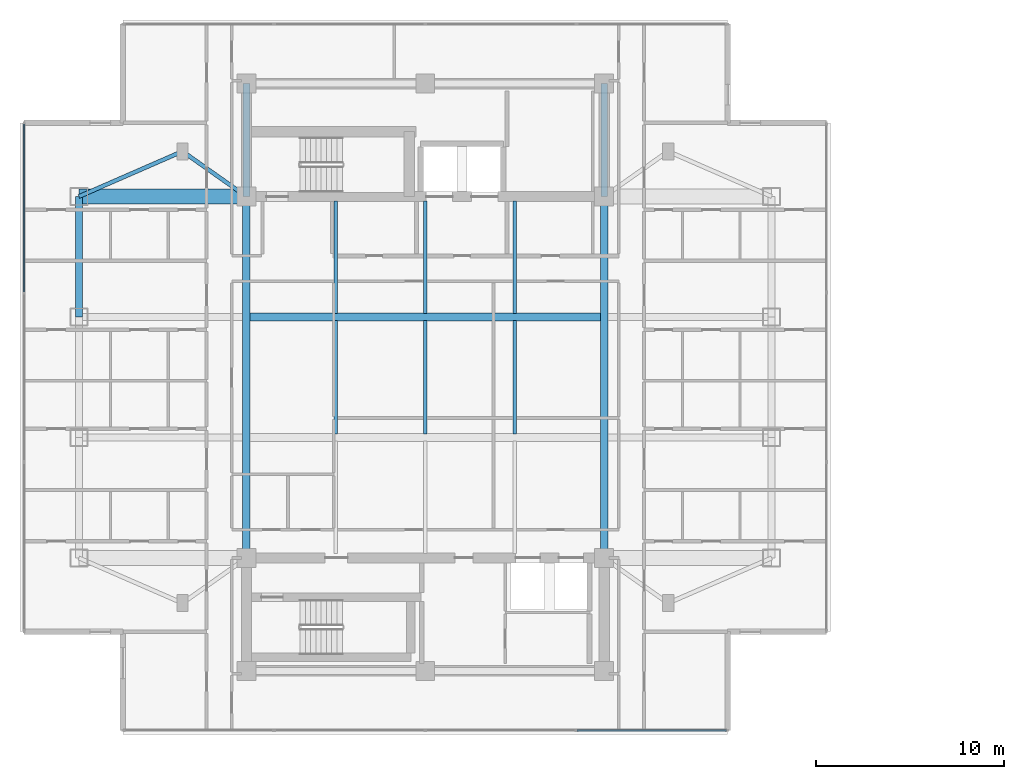
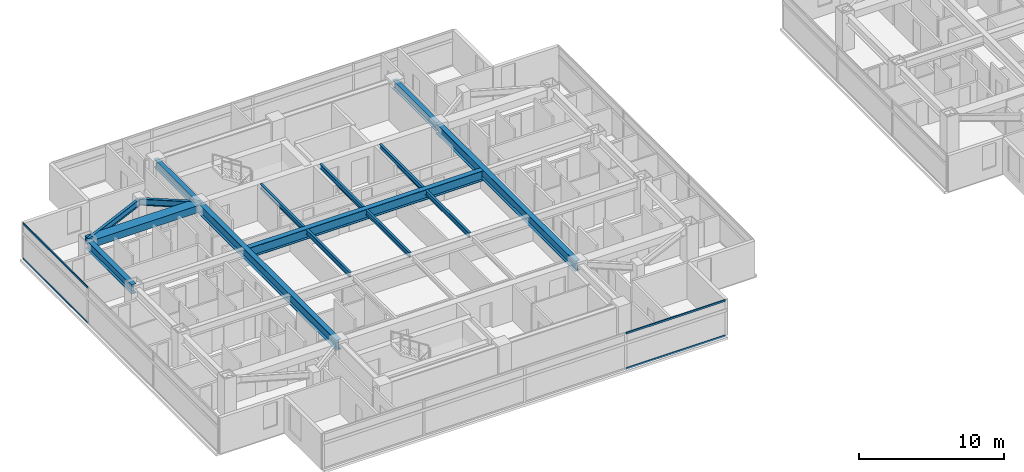
# One storey, part 3 of 25: 15 beams, 4 members, 2 elements without a shape of their own.
"""IFC4 building model written with IfcOpenShell, lengths in metres."""

from ifc_helpers import new_model, si_unit, direction, frame, origin, origin_2d, place, context, subcontext, project, spatial, rectangle, i_section, extrude, material, material_profile, profile_set, type_object, element, aggregate, save


model = new_model("IFC4")

# Units and contexts
model_context = context("Model", 3, precision=1e-05, world=origin(), true_north=direction((0.0, 1.0)))
body_context = subcontext(model_context, "Body", "Model", "MODEL_VIEW")
ifc_project = project(units=[si_unit("LENGTHUNIT", "METRE"), si_unit("AREAUNIT", "SQUARE_METRE"), si_unit("VOLUMEUNIT", "CUBIC_METRE"), si_unit("PLANEANGLEUNIT", "RADIAN"), si_unit("MASSUNIT", "GRAM", prefix="KILO")], contexts=[model_context])

# Site, building, storey
site_placement = place(None, origin())
site = spatial("IfcSite", under=ifc_project, at=site_placement, CompositionType="ELEMENT")
building_placement = place(site_placement, origin())
building = spatial("IfcBuilding", under=site, at=building_placement, Name="Mirazonda Arch Towers", CompositionType="ELEMENT")
storey_placement = place(building_placement, frame((0.0, 0.0, 173.89990234375)))
storey = spatial("IfcBuildingStorey", under=building, at=storey_placement, Name="L49", CompositionType="ELEMENT", Elevation=173.89990234375)

# Beams
ifc_material_1 = material(Name="Steel ASTM A992 Grade 50", Category="steel")
ifc_material_profile_1 = material_profile(ifc_material_1, i_section(OverallWidth=0.381103515625, OverallDepth=0.77294921875, WebThickness=0.0166015625, FlangeThickness=0.027099609375, at=origin_2d()), Name="W30X173")
ifc_profile_set_1 = profile_set([ifc_material_profile_1], Name="Steel ASTM A992 Grade 50")
beam_type_1 = type_object("IfcBeamType", Name="BM-EXT-W30X173", PredefinedType="USERDEFINED", material=ifc_profile_set_1)
beam_1_placement = place(storey_placement, frame((2.10009765625, 31.199951171875, 2.66357421875), z_axis=(0.0, 1.0, 0.0), x_axis=(-1.0, 0.0, 0.0)))
element("IfcBeam", 1, at=beam_1_placement, inside=storey, type_object=beam_type_1, Name="L49 Floor Beam BM-T1-L49-NS-W-31", ObjectType="GIRDER", PredefinedType="USERDEFINED", context=body_context, shape_type="SweptSolid", body=[
    extrude(i_section(OverallWidth=0.381103515625, OverallDepth=0.77294921875, WebThickness=0.0166015625, FlangeThickness=0.027099609375, at=origin_2d()), origin(), (0.0, 0.0, 1.0), 6.400146484375),
])
ifc_material_profile_2 = material_profile(ifc_material_1, i_section(OverallWidth=0.180908203125, OverallDepth=0.4169921875, WebThickness=0.010986328125, FlangeThickness=0.018310546875, at=origin_2d()), Name="W16X57")
ifc_profile_set_2 = profile_set([ifc_material_profile_2], Name="Steel ASTM A992 Grade 50")
beam_type_2 = type_object("IfcBeamType", Name="BM-INT-W16X57", PredefinedType="JOIST", material=ifc_profile_set_2)
beam_2_placement = place(storey_placement, frame((15.75, 31.39599609375, 2.841552734375), z_axis=(0.0, 1.0, 0.0), x_axis=(-1.0, 0.0, 0.0)))
element("IfcBeam", 2, at=beam_2_placement, inside=storey, type_object=beam_type_2, Name="L49 Floor Beam BM-T1-L49-J-157-31", PredefinedType="JOIST", context=body_context, shape_type="SweptSolid", body=[
    extrude(i_section(OverallWidth=0.180908203125, OverallDepth=0.4169921875, WebThickness=0.010986328125, FlangeThickness=0.018310546875, at=origin_2d()), origin(), (0.0, 0.0, 1.0), 5.964111328125),
])
beam_3_placement = place(storey_placement, frame((15.75, 24.99609375, 2.841552734375), z_axis=(0.0, 1.0, 0.0), x_axis=(-1.0, 0.0, 0.0)))
element("IfcBeam", 3, at=beam_3_placement, inside=storey, type_object=beam_type_2, Name="L49 Floor Beam BM-T1-L49-J-157-24", PredefinedType="JOIST", context=body_context, shape_type="SweptSolid", body=[
    extrude(i_section(OverallWidth=0.180908203125, OverallDepth=0.4169921875, WebThickness=0.010986328125, FlangeThickness=0.018310546875, at=origin_2d()), origin(), (0.0, 0.0, 1.0), 6.0078125),
])
beam_4_placement = place(storey_placement, frame((20.5, 31.39599609375, 2.841552734375), z_axis=(0.0, 1.0, 0.0), x_axis=(-1.0, 0.0, 0.0)))
element("IfcBeam", 4, at=beam_4_placement, inside=storey, type_object=beam_type_2, Name="L49 Floor Beam BM-T1-L49-J-205-31", PredefinedType="JOIST", context=body_context, shape_type="SweptSolid", body=[
    extrude(i_section(OverallWidth=0.180908203125, OverallDepth=0.4169921875, WebThickness=0.010986328125, FlangeThickness=0.018310546875, at=origin_2d()), origin(), (0.0, 0.0, 1.0), 5.964111328125),
])
beam_5_placement = place(storey_placement, frame((20.5, 24.99609375, 2.841552734375), z_axis=(0.0, 1.0, 0.0), x_axis=(-1.0, 0.0, 0.0)))
element("IfcBeam", 5, at=beam_5_placement, inside=storey, type_object=beam_type_2, Name="L49 Floor Beam BM-T1-L49-J-205-24", PredefinedType="JOIST", context=body_context, shape_type="SweptSolid", body=[
    extrude(i_section(OverallWidth=0.180908203125, OverallDepth=0.4169921875, WebThickness=0.010986328125, FlangeThickness=0.018310546875, at=origin_2d()), origin(), (0.0, 0.0, 1.0), 6.0078125),
])
beam_6_placement = place(storey_placement, frame((25.25, 31.39599609375, 2.841552734375), z_axis=(0.0, 1.0, 0.0), x_axis=(-1.0, 0.0, 0.0)))
element("IfcBeam", 6, at=beam_6_placement, inside=storey, type_object=beam_type_2, Name="L49 Floor Beam BM-T1-L49-J-252-31", PredefinedType="JOIST", context=body_context, shape_type="SweptSolid", body=[
    extrude(i_section(OverallWidth=0.180908203125, OverallDepth=0.4169921875, WebThickness=0.010986328125, FlangeThickness=0.018310546875, at=origin_2d()), origin(), (0.0, 0.0, 1.0), 5.964111328125),
])
beam_7_placement = place(storey_placement, frame((25.25, 24.99609375, 2.841552734375), z_axis=(0.0, 1.0, 0.0), x_axis=(-1.0, 0.0, 0.0)))
element("IfcBeam", 7, at=beam_7_placement, inside=storey, type_object=beam_type_2, Name="L49 Floor Beam BM-T1-L49-J-252-24", PredefinedType="JOIST", context=body_context, shape_type="SweptSolid", body=[
    extrude(i_section(OverallWidth=0.180908203125, OverallDepth=0.4169921875, WebThickness=0.010986328125, FlangeThickness=0.018310546875, at=origin_2d()), origin(), (0.0, 0.0, 1.0), 6.0078125),
])
ifc_material_profile_3 = material_profile(ifc_material_1, i_section(OverallWidth=0.214111328125, OverallDepth=0.549072265625, WebThickness=0.0146484375, FlangeThickness=0.023681640625, at=origin_2d()), Name="W21X93")
ifc_profile_set_3 = profile_set([ifc_material_profile_3], Name="Steel ASTM A992 Grade 50")
beam_type_3 = type_object("IfcBeamType", Name="BM-INT-W21X93", PredefinedType="BEAM", material=ifc_profile_set_3)
beam_8_placement = place(storey_placement, frame((7.60009765625, 40.0, 2.775634765625), z_axis=(0.816971114901, -0.576678591087, 0.0), x_axis=(0.576678591087, 0.816971114901, 0.0)))
element("IfcBeam", 8, at=beam_8_placement, inside=storey, type_object=beam_type_3, Name="L49 Floor Beam BM-T1-L49-PL-NW1", PredefinedType="BEAM", context=body_context, shape_type="SweptSolid", body=[
    extrude(i_section(OverallWidth=0.214111328125, OverallDepth=0.549072265625, WebThickness=0.0146484375, FlangeThickness=0.023681640625, at=origin_2d()), origin(), (0.0, 0.0, 1.0), 4.16162109375),
])
beam_9_placement = place(storey_placement, frame((7.60009765625, 40.0, 2.775634765625), z_axis=(-0.916545343703, -0.399930785183, 0.0), x_axis=(0.399930785183, -0.916545343703, 0.0)))
element("IfcBeam", 9, at=beam_9_placement, inside=storey, type_object=beam_type_3, Name="L49 Floor Beam BM-T1-L49-PL-NW2", PredefinedType="BEAM", context=body_context, shape_type="SweptSolid", body=[
    extrude(i_section(OverallWidth=0.214111328125, OverallDepth=0.549072265625, WebThickness=0.0146484375, FlangeThickness=0.023681640625, at=origin_2d()), origin(), (0.0, 0.0, 1.0), 6.000732421875),
])
ifc_material_profile_4 = material_profile(ifc_material_1, i_section(OverallWidth=0.35498046875, OverallDepth=0.696044921875, WebThickness=0.015380859375, FlangeThickness=0.02490234375, at=origin_2d()), Name="W27X146")
ifc_profile_set_4 = profile_set([ifc_material_profile_4], Name="Steel ASTM A992 Grade 50")
beam_type_4 = type_object("IfcBeamType", Name="BM-INT-W27X146", PredefinedType="BEAM", material=ifc_profile_set_4)
for number, where, z_axis, x_axis, name in (
    (10, (11.0, 37.60009765625, 2.7021484375), (0.0, 1.0, 0.0), (-1.0, 0.0, 0.0), "L49 Floor Beam BM-T1-L49-CNW"),
    (11, (30.0, 37.60009765625, 2.7021484375), (0.0, 1.0, 0.0), (-1.0, 0.0, 0.0), "L49 Floor Beam BM-T1-L49-CNE"),
):
    element("IfcBeam", number, at=place(storey_placement, frame(where, z_axis=z_axis, x_axis=x_axis)), inside=storey, type_object=beam_type_4, Name=name, PredefinedType="BEAM", context=body_context, shape_type="SweptSolid", body=[
        extrude(i_section(OverallWidth=0.35498046875, OverallDepth=0.696044921875, WebThickness=0.015380859375, FlangeThickness=0.02490234375, at=origin_2d()), origin(), (0.0, 0.0, 1.0), 6.0),
    ])
ifc_material_profile_5 = material_profile(ifc_material_1, i_section(OverallWidth=0.39990234375, OverallDepth=0.85595703125, WebThickness=0.018310546875, FlangeThickness=0.029296875, at=origin_2d()), Name="W33X201")
ifc_profile_set_5 = profile_set([ifc_material_profile_5], Name="Steel ASTM A992 Grade 50")
beam_type_5 = type_object("IfcBeamType", Name="BM-INT-W33X201", PredefinedType="USERDEFINED", material=ifc_profile_set_5)
beam_10_placement = place(storey_placement, frame((11.199951171875, 31.199951171875, 2.6220703125), z_axis=(1.0, 0.0, 0.0), x_axis=(0.0, 1.0, 0.0)))
element("IfcBeam", 12, at=beam_10_placement, inside=storey, type_object=beam_type_5, Name="L49 Floor Beam BM-T1-L49-GC3", ObjectType="GIRDER", PredefinedType="USERDEFINED", context=body_context, shape_type="SweptSolid", body=[
    extrude(i_section(OverallWidth=0.39990234375, OverallDepth=0.85595703125, WebThickness=0.018310546875, FlangeThickness=0.029296875, at=origin_2d()), origin(), (0.0, 0.0, 1.0), 18.60009765625),
])
for number, where, z_axis, x_axis, name in (
    (13, (11.0, 18.39990234375, 2.6220703125), (0.0, 1.0, 0.0), (-1.0, 0.0, 0.0), "L49 Floor Beam BM-T1-L49-NS-CW-FULL"),
    (14, (30.0, 18.39990234375, 2.6220703125), (0.0, 1.0, 0.0), (-1.0, 0.0, 0.0), "L49 Floor Beam BM-T1-L49-NS-CE-FULL"),
):
    element("IfcBeam", number, at=place(storey_placement, frame(where, z_axis=z_axis, x_axis=x_axis)), inside=storey, type_object=beam_type_5, Name=name, ObjectType="GIRDER", PredefinedType="USERDEFINED", context=body_context, shape_type="SweptSolid", body=[
        extrude(i_section(OverallWidth=0.39990234375, OverallDepth=0.85595703125, WebThickness=0.018310546875, FlangeThickness=0.029296875, at=origin_2d()), origin(), (0.0, 0.0, 1.0), 19.2001953125),
    ])
ifc_material_2 = material(Name="Concrete C60/75", Category="concrete")
ifc_material_profile_6 = material_profile(ifc_material_2, rectangle(XDim=0.800048828125, YDim=0.60009765625, at=origin_2d()), Name="RCCB800x600")
ifc_profile_set_6 = profile_set([ifc_material_profile_6], Name="Concrete C60/75")
beam_type_6 = type_object("IfcBeamType", Name="CB-INT-RCCB800x600", PredefinedType="SPANDREL", material=ifc_profile_set_6)
beam_11_placement = place(storey_placement, frame((2.10009765625, 37.60009765625, 2.75), z_axis=(1.0, 0.0, 0.0), x_axis=(0.0, 1.0, 0.0)))
element("IfcBeam", 15, at=beam_11_placement, inside=storey, type_object=beam_type_6, Name="L49 Floor Beam CBC-T1-L49-NW", PredefinedType="SPANDREL", context=body_context, shape_type="SweptSolid", body=[
    extrude(rectangle(XDim=0.800048828125, YDim=0.60009765625, at=origin_2d()), origin(), (0.0, 0.0, 1.0), 8.89990234375),
])

# Curtain wall, members
ifc_material_3 = material(Name="Anodised Aluminium and Low-E Glass", Category="aluminium")
curtain_wall_type = type_object("IfcCurtainWallType", Name="CW-RES-UNIT", PredefinedType="NOTDEFINED", material=ifc_material_3)
curtain_wall_1_placement = place(storey_placement, origin())
curtain_wall_1 = element("IfcCurtainWall", 16, at=curtain_wall_1_placement, inside=storey, type_object=curtain_wall_type, Name="L49 T1 S Facade CW-L49-T1-S", PredefinedType="NOTDEFINED")
ifc_material_4 = material(Name="Anodised Aluminium Alloy", Category="aluminium")
ifc_material_profile_7 = material_profile(ifc_material_4, rectangle(XDim=0.074951171875, YDim=0.155029296875, at=origin_2d()), Name="ALU-TRAN-75x155")
ifc_profile_set_7 = profile_set([ifc_material_profile_7], Name="Anodised Aluminium Alloy")
member_type = type_object("IfcMemberType", Name="TRAN-CW-RES-UNIT", PredefinedType="USERDEFINED", material=ifc_profile_set_7)
member_1_placement = place(storey_placement, frame((36.489990234375, 9.241943359375, 0.03759765625), z_axis=(-1.0, 0.0, 0.0), x_axis=(0.0, -1.0, 0.0)))
member_1 = element("IfcMember", 17, at=member_1_placement, type_object=member_type, Name="CW-104 transom 1.1", ObjectType="TRANSOM", PredefinedType="USERDEFINED", context=body_context, shape_type="SweptSolid", body=[
    extrude(rectangle(XDim=0.074951171875, YDim=0.155029296875, at=origin_2d()), origin(), (0.0, 0.0, 1.0), 7.919921875),
])
member_2_placement = place(storey_placement, frame((36.489990234375, 9.241943359375, 2.99267578125), z_axis=(-1.0, 0.0, 0.0), x_axis=(0.0, -1.0, 0.0)))
member_2 = element("IfcMember", 18, at=member_2_placement, type_object=member_type, Name="CW-104 transom 1.2", ObjectType="TRANSOM", PredefinedType="USERDEFINED", context=body_context, shape_type="SweptSolid", body=[
    extrude(rectangle(XDim=0.074951171875, YDim=0.155029296875, at=origin_2d()), origin(), (0.0, 0.0, 1.0), 7.919921875),
])
aggregate(curtain_wall_1, [member_1, member_2])

curtain_wall_2_placement = place(storey_placement, origin())
curtain_wall_2 = element("IfcCurtainWall", 19, at=curtain_wall_2_placement, inside=storey, type_object=curtain_wall_type, Name="L49 T1 W Facade CW-L49-T1-W", PredefinedType="NOTDEFINED")
member_3_placement = place(storey_placement, frame((-0.81005859375, 41.43798828125, 0.03759765625), z_axis=(0.0, -1.0, 0.0), x_axis=(1.0, 0.0, 0.0)))
member_3 = element("IfcMember", 20, at=member_3_placement, type_object=member_type, Name="CW-104 transom 1.1", ObjectType="TRANSOM", PredefinedType="USERDEFINED", context=body_context, shape_type="SweptSolid", body=[
    extrude(rectangle(XDim=0.074951171875, YDim=0.155029296875, at=origin_2d()), origin(), (0.0, 0.0, 1.0), 8.896240234375),
])
member_4_placement = place(storey_placement, frame((-0.81005859375, 41.43798828125, 2.99267578125), z_axis=(0.0, -1.0, 0.0), x_axis=(1.0, 0.0, 0.0)))
member_4 = element("IfcMember", 21, at=member_4_placement, type_object=member_type, Name="CW-104 transom 1.2", ObjectType="TRANSOM", PredefinedType="USERDEFINED", context=body_context, shape_type="SweptSolid", body=[
    extrude(rectangle(XDim=0.074951171875, YDim=0.155029296875, at=origin_2d()), origin(), (0.0, 0.0, 1.0), 8.896240234375),
])
aggregate(curtain_wall_2, [member_3, member_4])

save(model, "model.ifc")
